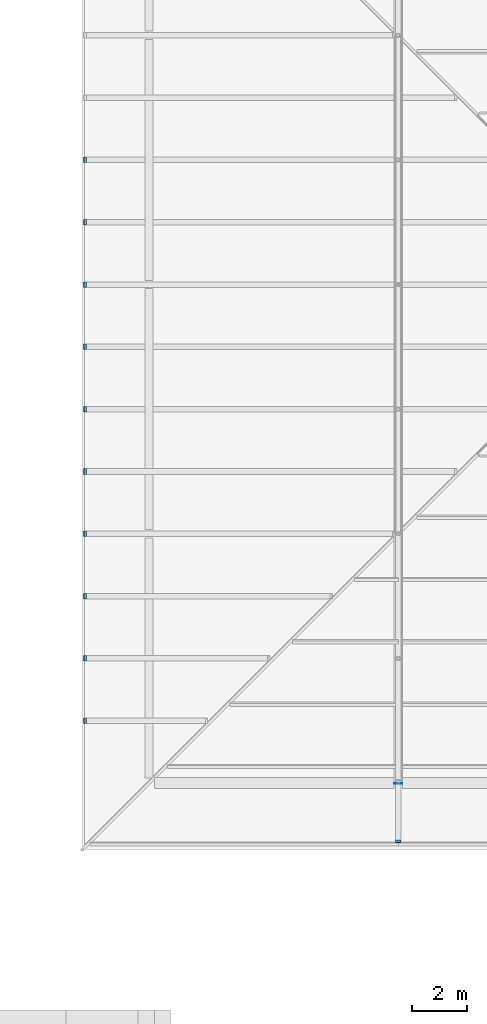
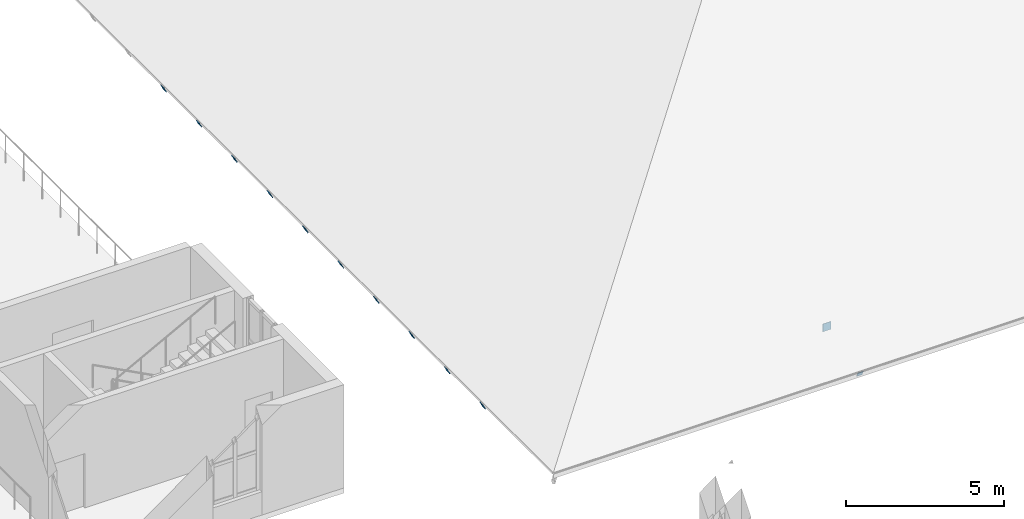
# One storey, part 129 of 154: 12 discrete accessories.
"""IFC4 building model written with IfcOpenShell, lengths in metres."""

from ifc_helpers import new_model, si_unit, direction, frame, origin, origin_2d, place, context, subcontext, project, spatial, rectangle, extrude, material, material_profile, profile_set, type_object, element, save


model = new_model("IFC4")

# Units and contexts
model_context = context("Model", 3, precision=1e-05, world=origin(), true_north=direction((0.0, 1.0)))
body_context = subcontext(model_context, "Body", "Model", "MODEL_VIEW")
ifc_project = project(units=[si_unit("LENGTHUNIT", "METRE"), si_unit("AREAUNIT", "SQUARE_METRE"), si_unit("VOLUMEUNIT", "CUBIC_METRE"), si_unit("PLANEANGLEUNIT", "RADIAN"), si_unit("MASSUNIT", "GRAM", prefix="KILO")], contexts=[model_context])

# Site, building, storey
site_placement = place(None, origin())
site = spatial("IfcSite", under=ifc_project, at=site_placement, CompositionType="ELEMENT")
building_placement = place(site_placement, origin())
building = spatial("IfcBuilding", under=site, at=building_placement, Name="Golden Quay Civic Hall", CompositionType="ELEMENT")
storey_placement = place(building_placement, frame((0.0, 0.0, 14.39990234375)))
storey = spatial("IfcBuildingStorey", under=building, at=storey_placement, Name="L03", CompositionType="ELEMENT", Elevation=14.39990234375)

# Discrete accessories
ifc_material_1 = material(Name="Steel S355", Category="steel")
ifc_material_profile_1 = material_profile(ifc_material_1, rectangle(XDim=0.199951171875, YDim=0.199951171875, at=origin_2d()), Name="Steel end cap plate 200x200x16")
ifc_profile_set_1 = profile_set([ifc_material_profile_1], Name="Steel S355")
discrete_accessory_type_1 = type_object("IfcDiscreteAccessoryType", Name="Steel end cap plate 200x200x16", PredefinedType="BRACKET", material=ifc_profile_set_1)
for number, where, z_axis, x_axis, name in (
    (1, (126.0, 60.89990234375, -0.651123046875), (0.0, -0.90342581024, -0.428744452317), (1.0, 0.0, 0.0), "End cap truss 126 top chord 1"),
    (2, (114.699951171875, 65.25, -0.56787109375), (-0.90342581024, 0.0, -0.428744452317), (0.0, -1.0, 0.0), "End cap jack rafter west 1"),
    (3, (114.699951171875, 67.5, -0.56787109375), (-0.90342581024, 0.0, -0.428744452317), (0.0, -1.0, 0.0), "End cap jack rafter west 2"),
    (4, (114.699951171875, 69.75, -0.56787109375), (-0.90342581024, 0.0, -0.428744452317), (0.0, -1.0, 0.0), "End cap jack rafter west 3"),
    (5, (114.699951171875, 72.0, -0.56787109375), (-0.90342581024, 0.0, -0.428744452317), (0.0, -1.0, 0.0), "End cap jack rafter west 4"),
    (6, (114.699951171875, 74.25, -0.56787109375), (-0.90342581024, 0.0, -0.428744452317), (0.0, -1.0, 0.0), "End cap jack rafter west 5"),
    (7, (114.699951171875, 76.5, -0.56787109375), (-0.90342581024, 0.0, -0.428744452317), (0.0, -1.0, 0.0), "End cap jack rafter west 6"),
    (8, (114.699951171875, 78.75, -0.56787109375), (-0.90342581024, 0.0, -0.428744452317), (0.0, -1.0, 0.0), "End cap jack rafter west 7"),
    (9, (114.699951171875, 81.0, -0.56787109375), (-0.90342581024, 0.0, -0.428744452317), (0.0, -1.0, 0.0), "End cap jack rafter west 8"),
    (10, (114.699951171875, 83.25, -0.56787109375), (-0.90342581024, 0.0, -0.428744452317), (0.0, -1.0, 0.0), "End cap jack rafter west 9"),
    (11, (114.699951171875, 85.5, -0.56787109375), (-0.90342581024, 0.0, -0.428744452317), (0.0, -1.0, 0.0), "End cap jack rafter west 10"),
):
    element("IfcDiscreteAccessory", number, at=place(storey_placement, frame(where, z_axis=z_axis, x_axis=x_axis)), inside=storey, type_object=discrete_accessory_type_1, Name=name, PredefinedType="BRACKET", context=body_context, shape_type="SweptSolid", body=[
        extrude(rectangle(XDim=0.199951171875, YDim=0.199951171875, at=origin_2d()), origin(), (0.0, 0.0, 1.0), 0.015869140625),
    ])
ifc_material_2 = material(Name="Steel S355", Category="steel")
ifc_material_profile_2 = material_profile(ifc_material_2, rectangle(XDim=0.300048828125, YDim=0.300048828125, at=origin_2d()), Name="Steel end cap plate 300x300x16")
ifc_profile_set_2 = profile_set([ifc_material_profile_2], Name="Steel S355")
discrete_accessory_type_2 = type_object("IfcDiscreteAccessoryType", Name="Steel end cap plate 300x300x16", PredefinedType="BRACKET", material=ifc_profile_set_2)
discrete_accessory_placement = place(storey_placement, frame((126.0, 63.0, -0.099853515625), z_axis=(0.0, -1.0, 0.0), x_axis=(1.0, 0.0, 0.0)))
element("IfcDiscreteAccessory", 12, at=discrete_accessory_placement, inside=storey, type_object=discrete_accessory_type_2, Name="End cap truss 126 bottom chord 1", PredefinedType="BRACKET", context=body_context, shape_type="SweptSolid", body=[
    extrude(rectangle(XDim=0.300048828125, YDim=0.300048828125, at=origin_2d()), origin(), (0.0, 0.0, 1.0), 0.01611328125),
])

save(model, "model.ifc")
